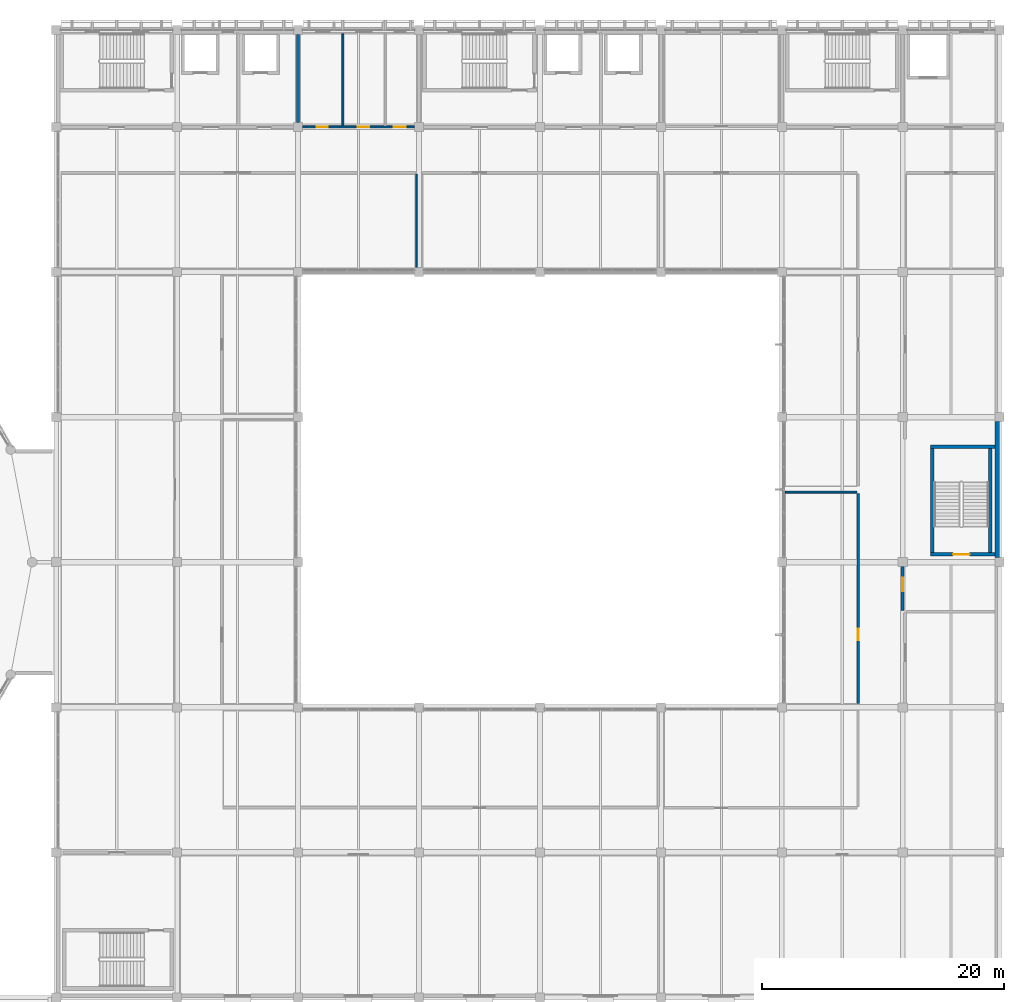
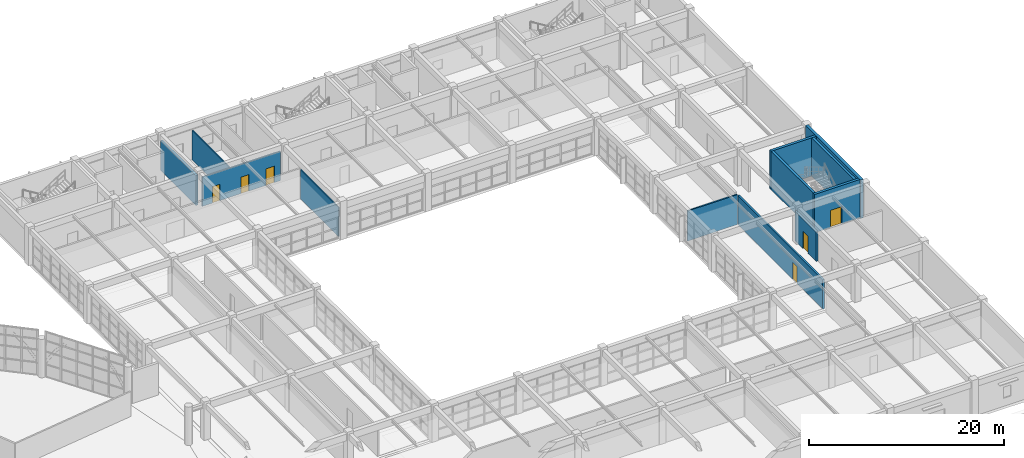
# One storey, part 95 of 109: 12 walls, 6 doors, 6 openings.
"""IFC4 building model written with IfcOpenShell, lengths in metres."""

import ifcopenshell
import ifcopenshell.guid

model = None  # the IFC model being written
_history = None  # IfcOwnerHistory: only IFC2X3 demands one
_inside = {}  # id of a spatial element -> (the spatial element, [elements in it])
_under = {}  # id of a project, library or spatial element -> (it, [spatial elements below it])
_declared = {}  # id of a project -> (the project, [libraries it declares])
_typed = {}  # id of a type object -> (the type object, [elements of that type])
_made_of = {}  # id of a material, layer set ... -> (it, [elements and type objects made of it])


def new_model(schema):
    """Start an empty IFC model of exactly this schema.

    Asked for "IFC4X3", IfcOpenShell would pick the latest addendum, in which some entities
    have other attributes; the version numbers below select the first issue.
    IFC2X3 requires an IfcOwnerHistory on every rooted entity: one is made here for all.
    """
    global model, _history
    if schema == "IFC4X3":
        model = ifcopenshell.file(schema_version=(4, 3, 0, 0))
    else:
        model = ifcopenshell.file(schema=schema)
    _inside.clear()
    _under.clear()
    _declared.clear()
    _typed.clear()
    _made_of.clear()
    _history = None
    if model.schema == "IFC2X3":
        org = make("IfcOrganization", Name="unknown")
        user = make(
            "IfcPersonAndOrganization",
            ThePerson=make("IfcPerson", FamilyName="unknown"),
            TheOrganization=org,
        )
        app = make(
            "IfcApplication",
            ApplicationDeveloper=org,
            Version="unknown",
            ApplicationFullName="unknown",
            ApplicationIdentifier="unknown",
        )
        _history = make(
            "IfcOwnerHistory",
            OwningUser=user,
            OwningApplication=app,
            ChangeAction="ADDED",
            CreationDate=0,
        )
    return model


def make(cls, **values):
    """One entity of the class cls with the attributes given. An attribute that is None is left unset."""
    return model.create_entity(
        cls, **{name: value for name, value in values.items() if value is not None}
    )


def rooted(cls, **values):
    """An entity with a GlobalId (a new one), such as an element, a storey or a relation."""
    return make(cls, GlobalId=ifcopenshell.guid.new(), OwnerHistory=_history, **values)


def si_unit(unit_type, name, prefix=None):
    """IfcSIUnit, for example si_unit("LENGTHUNIT", "METRE", prefix="MILLI")."""
    return make("IfcSIUnit", UnitType=unit_type, Prefix=prefix, Name=name)


def assignment(units):
    """IfcUnitAssignment: the units of a project."""
    return None if units is None else make("IfcUnitAssignment", Units=units)


def point(xyz):
    """IfcCartesianPoint."""
    return None if xyz is None else make("IfcCartesianPoint", Coordinates=xyz)


def direction(xyz):
    """IfcDirection."""
    return None if xyz is None else make("IfcDirection", DirectionRatios=xyz)


def frame(location, z_axis=None, x_axis=None):
    """IfcAxis2Placement3D, a coordinate frame: its origin and axes. An axis left out is left unset."""
    return make(
        "IfcAxis2Placement3D",
        Location=point(location),
        Axis=direction(z_axis),
        RefDirection=direction(x_axis),
    )


def frame_2d(location, x_axis=None):
    """IfcAxis2Placement2D, a coordinate frame in the plane: its origin and x axis."""
    return make(
        "IfcAxis2Placement2D", Location=point(location), RefDirection=direction(x_axis)
    )


def origin():
    """The frame at (0, 0, 0) with its axes left unset."""
    return frame((0.0, 0.0, 0.0))


def place(relative_to, where):
    """IfcLocalPlacement: puts the frame where relative to a parent placement (None: the world)."""
    return make(
        "IfcLocalPlacement", PlacementRelTo=relative_to, RelativePlacement=where
    )


def context(
    kind, dimensions, precision=None, world=None, true_north=None, identifier=None
):
    """IfcGeometricRepresentationContext, for example the 3D "Model" context."""
    return make(
        "IfcGeometricRepresentationContext",
        ContextIdentifier=identifier,
        ContextType=kind,
        CoordinateSpaceDimension=dimensions,
        Precision=precision,
        WorldCoordinateSystem=world,
        TrueNorth=true_north,
    )


def subcontext(parent, identifier, kind, view, scale=None):
    """IfcGeometricRepresentationSubContext, for example "Body" below "Model"."""
    return make(
        "IfcGeometricRepresentationSubContext",
        ContextIdentifier=identifier,
        ContextType=kind,
        ParentContext=parent,
        TargetScale=scale,
        TargetView=view,
    )


def project(units=None, contexts=None):
    """IfcProject with its units and contexts."""
    return rooted(
        "IfcProject",
        Name="project",
        RepresentationContexts=contexts,
        UnitsInContext=assignment(units),
    )


def spatial(cls, under=None, at=None, **own):
    """A site, building, storey or space (cls), placed at a placement, below another one or the project."""
    s = rooted(cls, ObjectPlacement=at, **own)
    if under is not None:
        _under.setdefault(under.id(), (under, []))[1].append(s)
    return s


def profile(cls, at=None, kind="AREA", **sizes):
    """A parametric profile (cls). Its sizes go by their IFC names, for example OverallWidth=200.0."""
    return make(cls, ProfileType=kind, Position=at, **sizes)


def rectangle(**sizes):
    """IfcRectangleProfileDef."""
    return profile("IfcRectangleProfileDef", **sizes)


def extrude(swept, where, along, depth):
    """IfcExtrudedAreaSolid: the profile swept, set in the frame where, extruded along a direction by depth."""
    return make(
        "IfcExtrudedAreaSolid",
        SweptArea=swept,
        Position=where,
        ExtrudedDirection=direction(along),
        Depth=depth,
    )


def shape(context_of_items, identifier, shape_type, items):
    """IfcShapeRepresentation: the items that make up one representation, for example the "Body"."""
    return make(
        "IfcShapeRepresentation",
        ContextOfItems=context_of_items,
        RepresentationIdentifier=identifier,
        RepresentationType=shape_type,
        Items=items,
    )


def material(Name=None, Category=None):
    """IfcMaterial."""
    return make("IfcMaterial", Name=Name, Category=Category)


def layer(
    of_material, thickness, ventilated=None, Name=None, Category=None, Priority=None
):
    """IfcMaterialLayer: one layer of a wall or slab, of a material (None: an air gap)."""
    return make(
        "IfcMaterialLayer",
        Material=of_material,
        LayerThickness=thickness,
        IsVentilated=ventilated,
        Name=Name,
        Category=Category,
        Priority=Priority,
    )


def layer_set(layers, Name=None):
    """IfcMaterialLayerSet."""
    return make("IfcMaterialLayerSet", MaterialLayers=layers, LayerSetName=Name)


def made_of(thing, what):
    """Note that an element or type object is made of a material, layer set ...; save() writes the relation."""
    if what is not None:
        _made_of.setdefault(what.id(), (what, []))[1].append(thing)
    return thing


def type_object(cls, material=None, **own):
    """A type object (cls), such as IfcWallType, which elements share."""
    return made_of(rooted(cls, **own), material)


def element(
    cls,
    number,
    at=None,
    inside=None,
    cuts=None,
    type_object=None,
    material=None,
    context=None,
    identifier="Body",
    shape_type=None,
    held_by="IfcProductDefinitionShape",
    body=None,
    shapes=None,
    **own,
):
    """One element of the class cls, such as IfcWall. Its Tag is "e" and its number.

    at: its placement. inside: the storey or other place that contains it. cuts: it is an
    opening in that element (IfcRelVoidsElement). A single representation is given by context,
    identifier, shape_type and body (its items); several are given by shapes. held_by: the class
    of the entity that holds the representations. save() writes the other relations.
    """
    e = rooted(cls, Tag="e%d" % number, ObjectPlacement=at, **own)
    if body is not None:
        shapes = [shape(context, identifier, shape_type, body)]
    if shapes is not None:
        e.Representation = make(held_by, Representations=shapes)
    if inside is not None:
        _inside.setdefault(inside.id(), (inside, []))[1].append(e)
    if cuts is not None:
        rooted(
            "IfcRelVoidsElement", RelatingBuildingElement=cuts, RelatedOpeningElement=e
        )
    if type_object is not None:
        _typed.setdefault(type_object.id(), (type_object, []))[1].append(e)
    return made_of(e, material)


def fill(opening, filler):
    """IfcRelFillsElement: the door or window that sits in an opening."""
    return rooted(
        "IfcRelFillsElement",
        RelatingOpeningElement=opening,
        RelatedBuildingElement=filler,
    )


def aggregate(whole, parts):
    """IfcRelAggregates: a whole, such as a stair, and the parts it consists of."""
    return rooted("IfcRelAggregates", RelatingObject=whole, RelatedObjects=parts)


def save(model, path):
    """Write the relations noted so far, then the file.

    IfcRelAggregates (storeys below a building ...), IfcRelContainedInSpatialStructure (elements
    in a storey), IfcRelDefinesByType, IfcRelAssociatesMaterial and IfcRelDeclares: one each for
    every whole, place, type object, material and project.
    """
    for whole, parts in _under.values():
        aggregate(whole, parts)
    for where, things in _inside.values():
        rooted(
            "IfcRelContainedInSpatialStructure",
            RelatedElements=things,
            RelatingStructure=where,
        )
    for kind, things in _typed.values():
        rooted("IfcRelDefinesByType", RelatedObjects=things, RelatingType=kind)
    for what, things in _made_of.values():
        rooted("IfcRelAssociatesMaterial", RelatedObjects=things, RelatingMaterial=what)
    for by, libraries in _declared.values():
        rooted("IfcRelDeclares", RelatingContext=by, RelatedDefinitions=libraries)
    model.write(path)


model = new_model("IFC4")

# Units and contexts
model_context = context("Model", 3, precision=1e-05, world=origin(), true_north=direction((0.0, 1.0)))
body_context = subcontext(model_context, "Body", "Model", "MODEL_VIEW")
ifc_project = project(units=[si_unit("LENGTHUNIT", "METRE"), si_unit("AREAUNIT", "SQUARE_METRE"), si_unit("VOLUMEUNIT", "CUBIC_METRE"), si_unit("PLANEANGLEUNIT", "RADIAN"), si_unit("MASSUNIT", "GRAM", prefix="KILO")], contexts=[model_context])

# Site, building, storey
site_placement = place(None, origin())
site = spatial("IfcSite", under=ifc_project, at=site_placement, CompositionType="ELEMENT")
building_placement = place(site_placement, origin())
building = spatial("IfcBuilding", under=site, at=building_placement, Name="Kivolera Central Railway Station", CompositionType="ELEMENT")
storey_placement = place(building_placement, frame((0.0, 0.0, 9.60009765625)))
storey = spatial("IfcBuildingStorey", under=building, at=storey_placement, Name="L02", CompositionType="ELEMENT", Elevation=9.60009765625)

# Wall, opening, door
ifc_material_1 = material(Name="Swahili coral limestone", Category="masonry")
ifc_layer_1 = layer(ifc_material_1, 0.199951171875, Name="Swahili coral limestone")
ifc_layer_set_1 = layer_set([ifc_layer_1], Name="Swahili coral limestone")
wall_type_1 = type_object("IfcWallType", Name="WL-COR-200", PredefinedType="PARTITIONING", material=ifc_layer_set_1)
wall_1_placement = place(storey_placement, frame((184.320068359375, 78.300048828125, 0.0), z_axis=(0.0, 0.0, 1.0), x_axis=(0.0, 1.0, 0.0)))
wall_1 = element("IfcWall", 1, at=wall_1_placement, inside=storey, type_object=wall_type_1, Name="L02 Multi-Faith Quiet Reflection Room Corridor Wall", PredefinedType="PARTITIONING", context=body_context, shape_type="SweptSolid", body=[
    extrude(rectangle(XDim=17.39990234375, YDim=0.199951171875, at=frame_2d((8.699951171875, 0.0))), origin(), (0.0, 0.0, 1.0), 3.657958984375),
])
opening_1_placement = place(wall_1_placement, frame((5.22509765625, 0.0, 0.0)))
opening_1 = element("IfcOpeningElement", 2, at=opening_1_placement, cuts=wall_1, Name="Opening D-SG-02", PredefinedType="OPENING", context=body_context, shape_type="SweptSolid", body=[
    extrude(rectangle(XDim=0.949951171875, YDim=2.10009765625, at=frame_2d((0.47509765625, 1.050048828125))), frame((0.0, 0.10986328125, 0.0), z_axis=(0.0, -1.0, 0.0), x_axis=(1.0, 0.0, 0.0)), (0.0, 0.0, 1.0), 0.219970703125),
])
ifc_material_2 = material(Name="Hardwood mvule timber", Category="wood")
door_type_1 = type_object("IfcDoorType", Name="DR-D-SG-02", OperationType="NOTDEFINED", PredefinedType="DOOR", material=ifc_material_2)
door_1_placement = place(opening_1_placement, origin())
door_1 = element("IfcDoor", 3, at=door_1_placement, inside=storey, type_object=door_type_1, Name="L02 Multi-Faith Quiet Reflection Room Door", OperationType="SINGLE_SWING_LEFT", OverallHeight=2.10009765625, OverallWidth=0.949951171875, PredefinedType="DOOR", context=body_context, shape_type="SweptSolid", body=[
    extrude(rectangle(XDim=0.949951171875, YDim=2.10009765625, at=frame_2d((0.47509765625, 1.050048828125))), frame((0.0, 0.02490234375, 0.0), z_axis=(0.0, -1.0, 0.0), x_axis=(1.0, 0.0, 0.0)), (0.0, 0.0, 1.0), 0.050048828125),
])
fill(opening_1, door_1)

# Walls
ifc_material_3 = material(Name="Concrete C40/50", Category="concrete")
ifc_layer_2 = layer(ifc_material_3, 0.300048828125, Name="Concrete C40/50")
ifc_layer_set_2 = layer_set([ifc_layer_2], Name="Concrete C40/50")
wall_type_2 = type_object("IfcWallType", Name="WL-CORE-300", PredefinedType="SHEAR", material=ifc_layer_set_2)
for number, where, z_axis, x_axis, name in (
    (4, (190.449951171875, 90.800048828125, 0.0), (0.0, 0.0, 1.0), (0.0, 1.0, 0.0), "L02 ST11 Core Right Shear Wall"),
    (5, (195.25, 99.39990234375, 0.0), (0.0, 0.0, 1.0), (0.0, -1.0, 0.0), "L02 ST11 Core Left Shear Wall"),
):
    element("IfcWall", number, at=place(storey_placement, frame(where, z_axis=z_axis, x_axis=x_axis)), inside=storey, type_object=wall_type_2, Name=name, PredefinedType="SHEAR", context=body_context, shape_type="SweptSolid", body=[
        extrude(rectangle(XDim=8.599853515625, YDim=0.300048828125, at=frame_2d((4.2998046875, 0.0))), origin(), (0.0, 0.0, 1.0), 4.7998046875),
    ])

# Wall, opening, door
wall_2_placement = place(storey_placement, frame((195.64990234375, 90.64990234375, 0.0), z_axis=(0.0, 0.0, 1.0), x_axis=(-1.0, 0.0, 0.0)))
wall_2 = element("IfcWall", 6, at=wall_2_placement, inside=storey, type_object=wall_type_2, Name="L02 ST11 Core Near Shear Wall", PredefinedType="SHEAR", context=body_context, shape_type="SweptSolid", body=[
    extrude(rectangle(XDim=5.349853515625, YDim=0.300048828125, at=frame_2d((2.6748046875, 0.0))), origin(), (0.0, 0.0, 1.0), 4.7998046875),
])
opening_2_placement = place(wall_2_placement, frame((2.125, 0.0, 0.0)))
opening_2 = element("IfcOpeningElement", 7, at=opening_2_placement, cuts=wall_2, Name="Opening D-STAIR-1350", PredefinedType="OPENING", context=body_context, shape_type="SweptSolid", body=[
    extrude(rectangle(XDim=1.35009765625, YDim=2.14990234375, at=frame_2d((0.675048828125, 1.074951171875))), frame((0.0, 0.159912109375, 0.0), z_axis=(0.0, -1.0, 0.0), x_axis=(1.0, 0.0, 0.0)), (0.0, 0.0, 1.0), 0.320068359375),
])
door_type_2 = type_object("IfcDoorType", Name="DR-D-STAIR-1350", OperationType="NOTDEFINED", PredefinedType="DOOR", material=ifc_material_2)
door_2_placement = place(opening_2_placement, origin())
door_2 = element("IfcDoor", 8, at=door_2_placement, inside=storey, type_object=door_type_2, Name="L02 ST11 Concourse/Platform Stair Fire Door", OperationType="SINGLE_SWING_LEFT", OverallHeight=2.14990234375, OverallWidth=1.35009765625, PredefinedType="DOOR", context=body_context, shape_type="SweptSolid", body=[
    extrude(rectangle(XDim=1.35009765625, YDim=2.14990234375, at=frame_2d((0.675048828125, 1.074951171875))), frame((0.0, 0.02490234375, 0.0), z_axis=(0.0, -1.0, 0.0), x_axis=(1.0, 0.0, 0.0)), (0.0, 0.0, 1.0), 0.050048828125),
])
fill(opening_2, door_2)

# Walls
wall_3_placement = place(storey_placement, frame((190.300048828125, 99.550048828125, 0.0), z_axis=(0.0, 0.0, 1.0), x_axis=(1.0, 0.0, 0.0)))
element("IfcWall", 9, at=wall_3_placement, inside=storey, type_object=wall_type_2, Name="L02 ST11 Core Far Shear Wall", PredefinedType="SHEAR", context=body_context, shape_type="SweptSolid", body=[
    extrude(rectangle(XDim=5.349853515625, YDim=0.300048828125, at=frame_2d((2.6748046875, 0.0))), origin(), (0.0, 0.0, 1.0), 4.7998046875),
])
ifc_layer_3 = layer(ifc_material_3, 0.25, Name="Concrete C40/50")
ifc_layer_set_3 = layer_set([ifc_layer_3], Name="Concrete C40/50")
wall_type_3 = type_object("IfcWallType", Name="WL-FFL-250", PredefinedType="PARTITIONING", material=ifc_layer_set_3)
wall_4_placement = place(storey_placement, frame((138.0, 126.3798828125, 0.0), z_axis=(0.0, 0.0, 1.0), x_axis=(0.0, 1.0, 0.0)))
element("IfcWall", 10, at=wall_4_placement, inside=storey, type_object=wall_type_3, Name="L02 North Core Partition GRID-138", PredefinedType="PARTITIONING", context=body_context, shape_type="SweptSolid", body=[
    extrude(rectangle(XDim=7.240234375, YDim=0.25, at=frame_2d((3.6201171875, 0.0))), origin(), (0.0, 0.0, 1.0), 3.7578125),
])

# Wall, opening, door
wall_5_placement = place(storey_placement, frame((188.0, 86.0, 0.0), z_axis=(0.0, 0.0, 1.0), x_axis=(0.0, 1.0, 0.0)))
wall_5 = element("IfcWall", 11, at=wall_5_placement, inside=storey, type_object=wall_type_3, Name="L02 ST11 Lobby Wall", PredefinedType="PARTITIONING", context=body_context, shape_type="SweptSolid", body=[
    extrude(rectangle(XDim=4.35009765625, YDim=0.25, at=frame_2d((2.175048828125, 0.0))), origin(), (0.0, 0.0, 1.0), 3.657958984375),
])
opening_3_placement = place(wall_5_placement, frame((1.60009765625, 0.0, 0.0)))
opening_3 = element("IfcOpeningElement", 12, at=opening_3_placement, cuts=wall_5, Name="Opening D-FFL-1100", PredefinedType="OPENING", context=body_context, shape_type="SweptSolid", body=[
    extrude(rectangle(XDim=1.10009765625, YDim=2.14990234375, at=frame_2d((0.550048828125, 1.074951171875))), frame((0.0, 0.135009765625, 0.0), z_axis=(0.0, -1.0, 0.0), x_axis=(1.0, 0.0, 0.0)), (0.0, 0.0, 1.0), 0.27001953125),
])
door_type_3 = type_object("IfcDoorType", Name="DR-D-FFL-1100", OperationType="NOTDEFINED", PredefinedType="DOOR", material=ifc_material_2)
door_3_placement = place(opening_3_placement, origin())
door_3 = element("IfcDoor", 13, at=door_3_placement, inside=storey, type_object=door_type_3, Name="L02 ST11 Lobby Corridor Door", OperationType="SINGLE_SWING_RIGHT", OverallHeight=2.14990234375, OverallWidth=1.10009765625, PredefinedType="DOOR", context=body_context, shape_type="SweptSolid", body=[
    extrude(rectangle(XDim=1.10009765625, YDim=2.14990234375, at=frame_2d((0.550048828125, 1.074951171875))), frame((0.0, 0.02490234375, 0.0), z_axis=(0.0, -1.0, 0.0), x_axis=(1.0, 0.0, 0.0)), (0.0, 0.0, 1.0), 0.050048828125),
])
fill(opening_3, door_3)

# Walls
ifc_layer_4 = layer(ifc_material_3, 0.35009765625, Name="Concrete C40/50")
ifc_layer_set_4 = layer_set([ifc_layer_4], Name="Concrete C40/50")
wall_type_4 = type_object("IfcWallType", Name="WL-PARTY-350", PredefinedType="SOLIDWALL", material=ifc_layer_set_4)
wall_6_placement = place(storey_placement, frame((195.824951171875, 101.6298828125, 0.0), z_axis=(0.0, 0.0, 1.0), x_axis=(0.0, -1.0, 0.0)))
element("IfcWall", 14, at=wall_6_placement, inside=storey, type_object=wall_type_4, Name="L02 East Infill EI 120 Party Wall 90-102", PredefinedType="SOLIDWALL", context=body_context, shape_type="SweptSolid", body=[
    extrude(rectangle(XDim=11.259765625, YDim=0.35009765625, at=frame_2d((5.6298828125, 0.0))), origin(), (0.0, 0.0, 1.0), 4.7998046875),
])
ifc_material_4 = material(Name="Gypsum plasterboard steel-stud partition")
ifc_layer_5 = layer(ifc_material_4, 0.1201171875, Name="Gypsum plasterboard steel-stud partition")
ifc_layer_set_5 = layer_set([ifc_layer_5], Name="Gypsum plasterboard steel-stud partition")
wall_type_5 = type_object("IfcWallType", Name="WL-PRT-120", PredefinedType="PARTITIONING", material=ifc_layer_set_5)
wall_7_placement = place(storey_placement, frame((147.800048828125, 114.300048828125, 0.0), z_axis=(0.0, 0.0, 1.0), x_axis=(0.0, 1.0, 0.0)))
element("IfcWall", 15, at=wall_7_placement, inside=storey, type_object=wall_type_5, Name="L02 Harbour Breeze Station Dining Hall Partition Wall", PredefinedType="PARTITIONING", context=body_context, shape_type="SweptSolid", body=[
    extrude(rectangle(XDim=7.800048828125, YDim=0.1201171875, at=frame_2d((3.89990234375, 0.0))), origin(), (0.0, 0.0, 1.0), 3.657958984375),
])

# Wall, openings, doors
ifc_layer_6 = layer(ifc_material_4, 0.14990234375, Name="Gypsum plasterboard steel-stud partition")
ifc_layer_set_6 = layer_set([ifc_layer_6], Name="Gypsum plasterboard steel-stud partition")
wall_type_6 = type_object("IfcWallType", Name="WL-PRT-150", PredefinedType="PARTITIONING", material=ifc_layer_set_6)
wall_8_placement = place(storey_placement, frame((138.3798828125, 126.0, 0.0), z_axis=(0.0, 0.0, 1.0), x_axis=(1.0, 0.0, 0.0)))
wall_8 = element("IfcWall", 16, at=wall_8_placement, inside=storey, type_object=wall_type_6, Name="L02 North Core Corridor Wall 138", PredefinedType="PARTITIONING", context=body_context, shape_type="SweptSolid", body=[
    extrude(rectangle(XDim=9.240234375, YDim=0.14990234375, at=frame_2d((4.6201171875, 0.0))), origin(), (0.0, 0.0, 1.0), 3.657958984375),
])
opening_4_placement = place(wall_8_placement, frame((1.169921875, 0.0, 0.0)))
opening_4 = element("IfcOpeningElement", 17, at=opening_4_placement, cuts=wall_8, Name="Opening D-WC-0900", PredefinedType="OPENING", context=body_context, shape_type="SweptSolid", body=[
    extrude(rectangle(XDim=0.89990234375, YDim=2.050048828125, at=frame_2d((0.449951171875, 1.02490234375))), frame((0.0, 0.0849609375, 0.0), z_axis=(0.0, -1.0, 0.0), x_axis=(1.0, 0.0, 0.0)), (0.0, 0.0, 1.0), 0.169921875),
])
opening_5_placement = place(wall_8_placement, frame((4.544921875, 0.0, 0.0)))
opening_5 = element("IfcOpeningElement", 18, at=opening_5_placement, cuts=wall_8, Name="Opening D-WC-0950", PredefinedType="OPENING", context=body_context, shape_type="SweptSolid", body=[
    extrude(rectangle(XDim=0.949951171875, YDim=2.050048828125, at=frame_2d((0.47509765625, 1.02490234375))), frame((0.0, 0.0849609375, 0.0), z_axis=(0.0, -1.0, 0.0), x_axis=(1.0, 0.0, 0.0)), (0.0, 0.0, 1.0), 0.169921875),
])
opening_6_placement = place(wall_8_placement, frame((7.52001953125, 0.0, 0.0)))
opening_6 = element("IfcOpeningElement", 19, at=opening_6_placement, cuts=wall_8, Name="Opening D-ACC-1000", PredefinedType="OPENING", context=body_context, shape_type="SweptSolid", body=[
    extrude(rectangle(XDim=1.0, YDim=2.050048828125, at=frame_2d((0.5, 1.02490234375))), frame((0.0, 0.0849609375, 0.0), z_axis=(0.0, -1.0, 0.0), x_axis=(1.0, 0.0, 0.0)), (0.0, 0.0, 1.0), 0.169921875),
])
door_type_4 = type_object("IfcDoorType", Name="DR-D-ACC-1000", OperationType="NOTDEFINED", PredefinedType="DOOR", material=ifc_material_2)
door_4_placement = place(opening_6_placement, origin())
door_4 = element("IfcDoor", 20, at=door_4_placement, inside=storey, type_object=door_type_4, Name="L02 Accessible Washroom Door", OperationType="SINGLE_SWING_LEFT", OverallHeight=2.050048828125, OverallWidth=1.0, PredefinedType="DOOR", context=body_context, shape_type="SweptSolid", body=[
    extrude(rectangle(XDim=1.0, YDim=2.050048828125, at=frame_2d((0.5, 1.02490234375))), frame((0.0, 0.02490234375, 0.0), z_axis=(0.0, -1.0, 0.0), x_axis=(1.0, 0.0, 0.0)), (0.0, 0.0, 1.0), 0.050048828125),
])
fill(opening_6, door_4)
door_type_5 = type_object("IfcDoorType", Name="DR-D-WC-0900", OperationType="NOTDEFINED", PredefinedType="DOOR", material=ifc_material_2)
door_5_placement = place(opening_4_placement, origin())
door_5 = element("IfcDoor", 21, at=door_5_placement, inside=storey, type_object=door_type_5, Name="L02 Male Washroom Door", OperationType="SINGLE_SWING_LEFT", OverallHeight=2.050048828125, OverallWidth=0.89990234375, PredefinedType="DOOR", context=body_context, shape_type="SweptSolid", body=[
    extrude(rectangle(XDim=0.89990234375, YDim=2.050048828125, at=frame_2d((0.449951171875, 1.02490234375))), frame((0.0, 0.02490234375, 0.0), z_axis=(0.0, -1.0, 0.0), x_axis=(1.0, 0.0, 0.0)), (0.0, 0.0, 1.0), 0.050048828125),
])
fill(opening_4, door_5)
door_type_6 = type_object("IfcDoorType", Name="DR-D-WC-0950", OperationType="NOTDEFINED", PredefinedType="DOOR", material=ifc_material_2)
door_6_placement = place(opening_5_placement, origin())
door_6 = element("IfcDoor", 22, at=door_6_placement, inside=storey, type_object=door_type_6, Name="L02 Female Washroom Door", OperationType="SINGLE_SWING_RIGHT", OverallHeight=2.050048828125, OverallWidth=0.949951171875, PredefinedType="DOOR", context=body_context, shape_type="SweptSolid", body=[
    extrude(rectangle(XDim=0.949951171875, YDim=2.050048828125, at=frame_2d((0.47509765625, 1.02490234375))), frame((0.0, 0.02490234375, 0.0), z_axis=(0.0, -1.0, 0.0), x_axis=(1.0, 0.0, 0.0)), (0.0, 0.0, 1.0), 0.050048828125),
])
fill(opening_5, door_6)

# Walls
wall_9_placement = place(storey_placement, frame((141.699951171875, 126.074951171875, 0.0), z_axis=(0.0, 0.0, 1.0), x_axis=(0.0, 1.0, 0.0)))
element("IfcWall", 23, at=wall_9_placement, inside=storey, type_object=wall_type_6, Name="L02 North Core Partition WC-DIV1", PredefinedType="PARTITIONING", context=body_context, shape_type="SweptSolid", body=[
    extrude(rectangle(XDim=7.6201171875, YDim=0.14990234375, at=frame_2d((3.81005859375, 0.0))), origin(), (0.0, 0.0, 1.0), 3.657958984375),
])
ifc_layer_7 = layer(ifc_material_4, 0.1650390625, Name="Gypsum plasterboard steel-stud partition")
ifc_layer_set_7 = layer_set([ifc_layer_7], Name="Gypsum plasterboard steel-stud partition")
wall_type_7 = type_object("IfcWallType", Name="WL-PRT-165", PredefinedType="PARTITIONING", material=ifc_layer_set_7)
wall_10_placement = place(storey_placement, frame((178.300048828125, 95.800048828125, 0.0), z_axis=(0.0, 0.0, 1.0), x_axis=(1.0, 0.0, 0.0)))
element("IfcWall", 24, at=wall_10_placement, inside=storey, type_object=wall_type_7, Name="L02 Multi-Faith Quiet Reflection Room Partition Wall", PredefinedType="PARTITIONING", context=body_context, shape_type="SweptSolid", body=[
    extrude(rectangle(XDim=5.89990234375, YDim=0.1650390625, at=frame_2d((2.949951171875, 0.0))), origin(), (0.0, 0.0, 1.0), 3.7578125),
])

save(model, "model.ifc")
